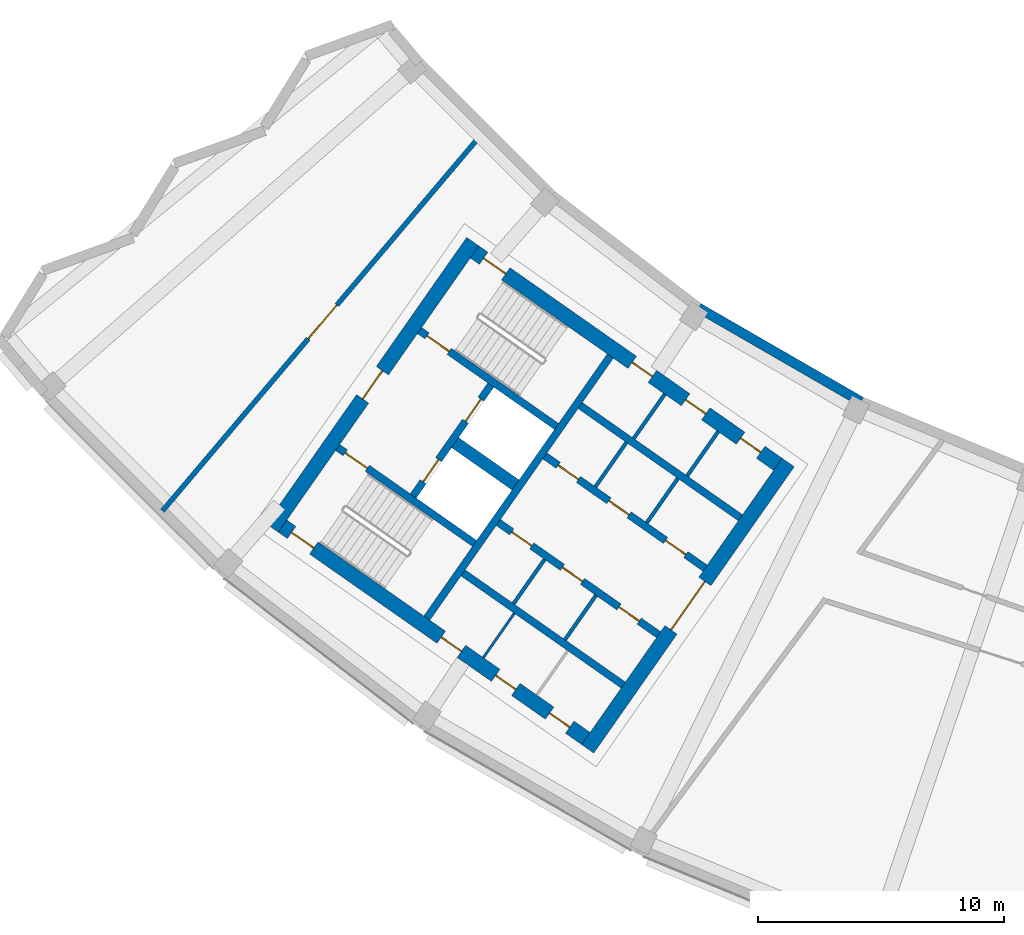
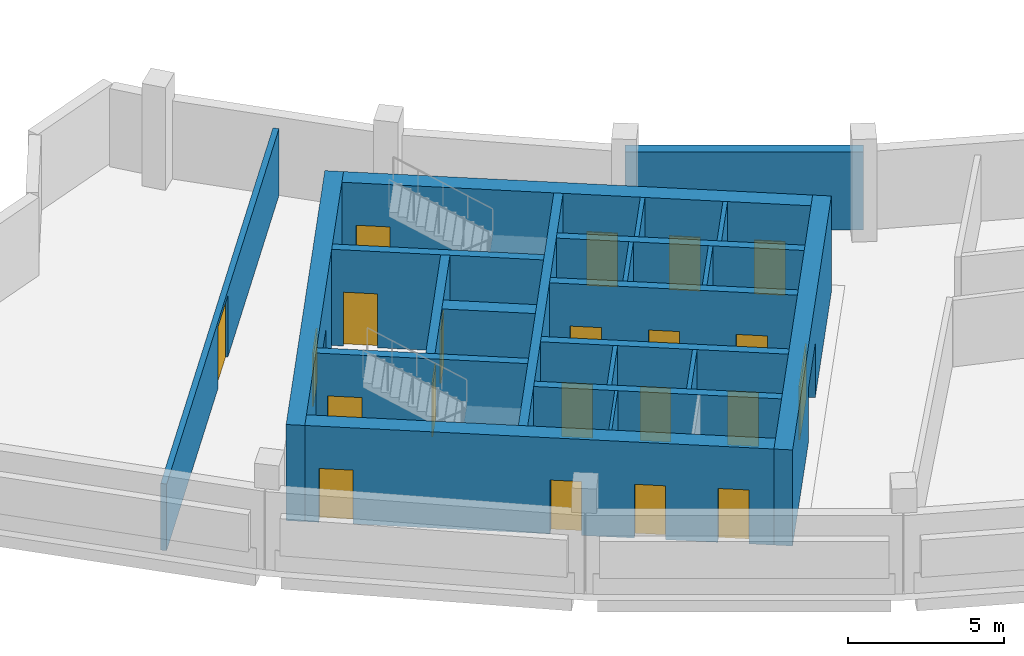
# One storey, part 3 of 11: 22 walls, 21 doors, 21 openings.
"""IFC4 building model written with IfcOpenShell, lengths in metres."""

from ifc_helpers import new_model, si_unit, direction, frame, frame_2d, origin, place, context, subcontext, project, spatial, rectangle, extrude, material, layer, layer_set, type_object, element, fill, save


model = new_model("IFC4")

# Units and contexts
model_context = context("Model", 3, precision=1e-05, world=origin(), true_north=direction((0.0, 1.0)))
body_context = subcontext(model_context, "Body", "Model", "MODEL_VIEW")
ifc_project = project(units=[si_unit("LENGTHUNIT", "METRE"), si_unit("AREAUNIT", "SQUARE_METRE"), si_unit("VOLUMEUNIT", "CUBIC_METRE"), si_unit("PLANEANGLEUNIT", "RADIAN"), si_unit("MASSUNIT", "GRAM", prefix="KILO")], contexts=[model_context])

# Site, building, storey
site_placement = place(None, origin())
site = spatial("IfcSite", under=ifc_project, at=site_placement, CompositionType="ELEMENT")
building_placement = place(site_placement, origin())
building = spatial("IfcBuilding", under=site, at=building_placement, Name="Qamariyya Broadcast Tower", CompositionType="ELEMENT")
storey_placement = place(building_placement, frame((0.0, 0.0, 298.699951171875)))
storey = spatial("IfcBuildingStorey", under=building, at=storey_placement, Name="L72", CompositionType="ELEMENT", Elevation=298.699951171875)

# Wall, opening, door
ifc_material_1 = material(Name="Concrete C60/75", Category="concrete")
ifc_layer_1 = layer(ifc_material_1, 0.60009765625)
ifc_layer_set_1 = layer_set([ifc_layer_1], Name="Core wall 600 mm Concrete C60/75")
wall_type_1 = type_object("IfcWallType", Name="Core wall 600 mm Concrete C60/75", PredefinedType="SHEAR", material=ifc_layer_set_1)
wall_1_placement = place(storey_placement, frame((-36.66748046875, -66.005126953125, 0.0), z_axis=(0.0, 0.0, 1.0), x_axis=(0.573568499524, 0.819157601658, 0.0)))
wall_1 = element("IfcWall", 1, at=wall_1_placement, inside=storey, type_object=wall_type_1, Name="k-W-L72-WA", PredefinedType="SHEAR", context=body_context, shape_type="SweptSolid", body=[
    extrude(rectangle(XDim=14.19970703125, YDim=0.60009765625, at=frame_2d((7.099853515625, 0.0))), origin(), (0.0, 0.0, 1.0), 3.75),
])
opening_1_placement = place(wall_1_placement, frame((5.89990234375, 0.0, 0.0)))
opening_1 = element("IfcOpeningElement", 2, at=opening_1_placement, cuts=wall_1, Name="Opening KD3-W1", PredefinedType="OPENING", context=body_context, shape_type="SweptSolid", body=[
    extrude(rectangle(XDim=2.39990234375, YDim=2.10009765625, at=frame_2d((1.199951171875, 1.050048828125))), frame((0.0, 0.31005859375, 0.0), z_axis=(0.0, -1.0, 0.0), x_axis=(1.0, 0.0, 0.0)), (0.0, 0.0, 1.0), 0.6201171875),
])
ifc_material_2 = material(Name="Steel fire-resisting door leaf", Category="steel")
door_type_1 = type_object("IfcDoorType", Name="Lift lobby door KD3", OperationType="DOUBLE_DOOR_SINGLE_SWING", PredefinedType="DOOR", material=ifc_material_2)
door_1_placement = place(opening_1_placement, origin())
door_1 = element("IfcDoor", 3, at=door_1_placement, inside=storey, type_object=door_type_1, Name="k-W-L72-WA-D1", OperationType="DOUBLE_DOOR_SINGLE_SWING", OverallHeight=2.10009765625, OverallWidth=2.39990234375, PredefinedType="DOOR", context=body_context, shape_type="SweptSolid", body=[
    extrude(rectangle(XDim=2.39990234375, YDim=2.10009765625, at=frame_2d((1.199951171875, 1.050048828125))), frame((0.0, 0.02490234375, 0.0), z_axis=(0.0, -1.0, 0.0), x_axis=(1.0, 0.0, 0.0)), (0.0, 0.0, 1.0), 0.050048828125),
])
fill(opening_1, door_1)

wall_2_placement = place(storey_placement, frame((-49.4833984375, -57.031494140625, 0.0), z_axis=(0.0, 0.0, 1.0), x_axis=(0.573560421458, 0.819163257805, 0.0)))
wall_2 = element("IfcWall", 4, at=wall_2_placement, inside=storey, type_object=wall_type_1, Name="k-W-L72-WH", PredefinedType="SHEAR", context=body_context, shape_type="SweptSolid", body=[
    extrude(rectangle(XDim=14.199951171875, YDim=0.60009765625, at=frame_2d((7.10009765625, 0.0))), origin(), (0.0, 0.0, 1.0), 3.75),
])
opening_2_placement = place(wall_2_placement, frame((6.39990234375, 0.0, 0.0)))
opening_2 = element("IfcOpeningElement", 5, at=opening_2_placement, cuts=wall_2, Name="Opening KD2-W1", PredefinedType="OPENING", context=body_context, shape_type="SweptSolid", body=[
    extrude(rectangle(XDim=1.39990234375, YDim=2.10009765625, at=frame_2d((0.699951171875, 1.050048828125))), frame((0.0, 0.31005859375, 0.0), z_axis=(0.0, -1.0, 0.0), x_axis=(1.0, 0.0, 0.0)), (0.0, 0.0, 1.0), 0.6201171875),
])
door_type_2 = type_object("IfcDoorType", Name="Fire-fighting lobby door KD2", OperationType="DOUBLE_DOOR_SINGLE_SWING", PredefinedType="DOOR", material=ifc_material_2)
door_2_placement = place(opening_2_placement, origin())
door_2 = element("IfcDoor", 6, at=door_2_placement, inside=storey, type_object=door_type_2, Name="k-W-L72-WH-D16", OperationType="DOUBLE_DOOR_SINGLE_SWING", OverallHeight=2.10009765625, OverallWidth=1.39990234375, PredefinedType="DOOR", context=body_context, shape_type="SweptSolid", body=[
    extrude(rectangle(XDim=1.39990234375, YDim=2.10009765625, at=frame_2d((0.699951171875, 1.050048828125))), frame((0.0, 0.02490234375, 0.0), z_axis=(0.0, -1.0, 0.0), x_axis=(1.0, 0.0, 0.0)), (0.0, 0.0, 1.0), 0.050048828125),
])
fill(opening_2, door_2)

# Wall, openings, doors
wall_3_placement = place(storey_placement, frame((-28.940673828125, -54.447021484375, 0.0), z_axis=(0.0, 0.0, 1.0), x_axis=(-0.819153391756, 0.573574511963, 0.0)))
wall_3 = element("IfcWall", 7, at=wall_3_placement, inside=storey, type_object=wall_type_1, Name="k-W-L72-WI", PredefinedType="SHEAR", context=body_context, shape_type="SweptSolid", body=[
    extrude(rectangle(XDim=15.04541015625, YDim=0.60009765625, at=frame_2d((7.522705078125, 0.0))), origin(), (0.0, 0.0, 1.0), 3.75),
])
opening_3_placement = place(wall_3_placement, frame((0.85009765625, 0.0, 0.0)))
opening_3 = element("IfcOpeningElement", 8, at=opening_3_placement, cuts=wall_3, Name="Opening KD4-W7", PredefinedType="OPENING", context=body_context, shape_type="SweptSolid", body=[
    extrude(rectangle(XDim=1.0, YDim=2.10009765625, at=frame_2d((0.5, 1.050048828125))), frame((0.0, 0.31005859375, 0.0), z_axis=(0.0, -1.0, 0.0), x_axis=(1.0, 0.0, 0.0)), (0.0, 0.0, 1.0), 0.6201171875),
])
opening_4_placement = place(wall_3_placement, frame((3.574951171875, 0.0, 0.0)))
opening_4 = element("IfcOpeningElement", 9, at=opening_4_placement, cuts=wall_3, Name="Opening KD4-W8", PredefinedType="OPENING", context=body_context, shape_type="SweptSolid", body=[
    extrude(rectangle(XDim=1.0, YDim=2.10009765625, at=frame_2d((0.5, 1.050048828125))), frame((0.0, 0.31005859375, 0.0), z_axis=(0.0, -1.0, 0.0), x_axis=(1.0, 0.0, 0.0)), (0.0, 0.0, 1.0), 0.6201171875),
])
opening_5_placement = place(wall_3_placement, frame((6.22509765625, 0.0, 0.0)))
opening_5 = element("IfcOpeningElement", 10, at=opening_5_placement, cuts=wall_3, Name="Opening KD4-W9", PredefinedType="OPENING", context=body_context, shape_type="SweptSolid", body=[
    extrude(rectangle(XDim=1.0, YDim=2.10009765625, at=frame_2d((0.5, 1.050048828125))), frame((0.0, 0.31005859375, 0.0), z_axis=(0.0, -1.0, 0.0), x_axis=(1.0, 0.0, 0.0)), (0.0, 0.0, 1.0), 0.6201171875),
])
opening_6_placement = place(wall_3_placement, frame((13.495361328125, 0.0, 0.0)))
opening_6 = element("IfcOpeningElement", 11, at=opening_6_placement, cuts=wall_3, Name="Opening KD1-W1", PredefinedType="OPENING", context=body_context, shape_type="SweptSolid", body=[
    extrude(rectangle(XDim=1.10009765625, YDim=2.10009765625, at=frame_2d((0.550048828125, 1.050048828125))), frame((0.0, 0.31005859375, 0.0), z_axis=(0.0, -1.0, 0.0), x_axis=(1.0, 0.0, 0.0)), (0.0, 0.0, 1.0), 0.6201171875),
])
door_type_3 = type_object("IfcDoorType", Name="Riser and plant door KD4", OperationType="SINGLE_SWING_LEFT", PredefinedType="DOOR", material=ifc_material_2)
door_3_placement = place(opening_3_placement, origin())
door_3 = element("IfcDoor", 12, at=door_3_placement, inside=storey, type_object=door_type_3, Name="k-W-L72-WI-D8", OperationType="SINGLE_SWING_LEFT", OverallHeight=2.10009765625, OverallWidth=1.0, PredefinedType="DOOR", context=body_context, shape_type="SweptSolid", body=[
    extrude(rectangle(XDim=1.0, YDim=2.10009765625, at=frame_2d((0.5, 1.050048828125))), frame((0.0, 0.02490234375, 0.0), z_axis=(0.0, -1.0, 0.0), x_axis=(1.0, 0.0, 0.0)), (0.0, 0.0, 1.0), 0.050048828125),
])
fill(opening_3, door_3)
door_4_placement = place(opening_4_placement, origin())
door_4 = element("IfcDoor", 13, at=door_4_placement, inside=storey, type_object=door_type_3, Name="k-W-L72-WI-D9", OperationType="SINGLE_SWING_RIGHT", OverallHeight=2.10009765625, OverallWidth=1.0, PredefinedType="DOOR", context=body_context, shape_type="SweptSolid", body=[
    extrude(rectangle(XDim=1.0, YDim=2.10009765625, at=frame_2d((0.5, 1.050048828125))), frame((0.0, 0.02490234375, 0.0), z_axis=(0.0, -1.0, 0.0), x_axis=(1.0, 0.0, 0.0)), (0.0, 0.0, 1.0), 0.050048828125),
])
fill(opening_4, door_4)
door_5_placement = place(opening_5_placement, origin())
door_5 = element("IfcDoor", 14, at=door_5_placement, inside=storey, type_object=door_type_3, Name="k-W-L72-WI-D10", OperationType="SINGLE_SWING_LEFT", OverallHeight=2.10009765625, OverallWidth=1.0, PredefinedType="DOOR", context=body_context, shape_type="SweptSolid", body=[
    extrude(rectangle(XDim=1.0, YDim=2.10009765625, at=frame_2d((0.5, 1.050048828125))), frame((0.0, 0.02490234375, 0.0), z_axis=(0.0, -1.0, 0.0), x_axis=(1.0, 0.0, 0.0)), (0.0, 0.0, 1.0), 0.050048828125),
])
fill(opening_5, door_5)
door_type_4 = type_object("IfcDoorType", Name="Stair door KD1", OperationType="SINGLE_SWING_LEFT", PredefinedType="DOOR", material=ifc_material_2)
door_6_placement = place(opening_6_placement, origin())
door_6 = element("IfcDoor", 15, at=door_6_placement, inside=storey, type_object=door_type_4, Name="k-W-L72-WI-D17", OperationType="SINGLE_SWING_RIGHT", OverallHeight=2.10009765625, OverallWidth=1.10009765625, PredefinedType="DOOR", context=body_context, shape_type="SweptSolid", body=[
    extrude(rectangle(XDim=1.10009765625, YDim=2.10009765625, at=frame_2d((0.550048828125, 1.050048828125))), frame((0.0, 0.02490234375, 0.0), z_axis=(0.0, -1.0, 0.0), x_axis=(1.0, 0.0, 0.0)), (0.0, 0.0, 1.0), 0.050048828125),
])
fill(opening_6, door_6)

wall_4_placement = place(storey_placement, frame((-36.7412109375, -65.58740234375, 0.0), z_axis=(0.0, 0.0, 1.0), x_axis=(-0.819153391756, 0.573574511963, 0.0)))
wall_4 = element("IfcWall", 16, at=wall_4_placement, inside=storey, type_object=wall_type_1, Name="k-W-L72-WO", PredefinedType="SHEAR", context=body_context, shape_type="SweptSolid", body=[
    extrude(rectangle(XDim=15.04541015625, YDim=0.60009765625, at=frame_2d((7.522705078125, 0.0))), origin(), (0.0, 0.0, 1.0), 3.75),
])
opening_7_placement = place(wall_4_placement, frame((0.800048828125, 0.0, 0.0)))
opening_7 = element("IfcOpeningElement", 17, at=opening_7_placement, cuts=wall_4, Name="Opening KD4-W10", PredefinedType="OPENING", context=body_context, shape_type="SweptSolid", body=[
    extrude(rectangle(XDim=1.0, YDim=2.10009765625, at=frame_2d((0.5, 1.050048828125))), frame((0.0, 0.31005859375, 0.0), z_axis=(0.0, -1.0, 0.0), x_axis=(1.0, 0.0, 0.0)), (0.0, 0.0, 1.0), 0.6201171875),
])
opening_8_placement = place(wall_4_placement, frame((3.47509765625, 0.0, 0.0)))
opening_8 = element("IfcOpeningElement", 18, at=opening_8_placement, cuts=wall_4, Name="Opening KD4-W11", PredefinedType="OPENING", context=body_context, shape_type="SweptSolid", body=[
    extrude(rectangle(XDim=1.0, YDim=2.10009765625, at=frame_2d((0.5, 1.050048828125))), frame((0.0, 0.31005859375, 0.0), z_axis=(0.0, -1.0, 0.0), x_axis=(1.0, 0.0, 0.0)), (0.0, 0.0, 1.0), 0.6201171875),
])
opening_9_placement = place(wall_4_placement, frame((6.175048828125, 0.0, 0.0)))
opening_9 = element("IfcOpeningElement", 19, at=opening_9_placement, cuts=wall_4, Name="Opening KD4-W12", PredefinedType="OPENING", context=body_context, shape_type="SweptSolid", body=[
    extrude(rectangle(XDim=1.0, YDim=2.10009765625, at=frame_2d((0.5, 1.050048828125))), frame((0.0, 0.31005859375, 0.0), z_axis=(0.0, -1.0, 0.0), x_axis=(1.0, 0.0, 0.0)), (0.0, 0.0, 1.0), 0.6201171875),
])
opening_10_placement = place(wall_4_placement, frame((13.495361328125, 0.0, 0.0)))
opening_10 = element("IfcOpeningElement", 20, at=opening_10_placement, cuts=wall_4, Name="Opening KD1-W3", PredefinedType="OPENING", context=body_context, shape_type="SweptSolid", body=[
    extrude(rectangle(XDim=1.10009765625, YDim=2.10009765625, at=frame_2d((0.550048828125, 1.050048828125))), frame((0.0, 0.31005859375, 0.0), z_axis=(0.0, -1.0, 0.0), x_axis=(1.0, 0.0, 0.0)), (0.0, 0.0, 1.0), 0.6201171875),
])
door_7_placement = place(opening_7_placement, origin())
door_7 = element("IfcDoor", 21, at=door_7_placement, inside=storey, type_object=door_type_3, Name="k-W-L72-WO-D11", OperationType="SINGLE_SWING_RIGHT", OverallHeight=2.10009765625, OverallWidth=1.0, PredefinedType="DOOR", context=body_context, shape_type="SweptSolid", body=[
    extrude(rectangle(XDim=1.0, YDim=2.10009765625, at=frame_2d((0.5, 1.050048828125))), frame((0.0, 0.02490234375, 0.0), z_axis=(0.0, -1.0, 0.0), x_axis=(1.0, 0.0, 0.0)), (0.0, 0.0, 1.0), 0.050048828125),
])
fill(opening_7, door_7)
door_8_placement = place(opening_8_placement, origin())
door_8 = element("IfcDoor", 22, at=door_8_placement, inside=storey, type_object=door_type_3, Name="k-W-L72-WO-D12", OperationType="SINGLE_SWING_LEFT", OverallHeight=2.10009765625, OverallWidth=1.0, PredefinedType="DOOR", context=body_context, shape_type="SweptSolid", body=[
    extrude(rectangle(XDim=1.0, YDim=2.10009765625, at=frame_2d((0.5, 1.050048828125))), frame((0.0, 0.02490234375, 0.0), z_axis=(0.0, -1.0, 0.0), x_axis=(1.0, 0.0, 0.0)), (0.0, 0.0, 1.0), 0.050048828125),
])
fill(opening_8, door_8)
door_9_placement = place(opening_9_placement, origin())
door_9 = element("IfcDoor", 23, at=door_9_placement, inside=storey, type_object=door_type_3, Name="k-W-L72-WO-D13", OperationType="SINGLE_SWING_RIGHT", OverallHeight=2.10009765625, OverallWidth=1.0, PredefinedType="DOOR", context=body_context, shape_type="SweptSolid", body=[
    extrude(rectangle(XDim=1.0, YDim=2.10009765625, at=frame_2d((0.5, 1.050048828125))), frame((0.0, 0.02490234375, 0.0), z_axis=(0.0, -1.0, 0.0), x_axis=(1.0, 0.0, 0.0)), (0.0, 0.0, 1.0), 0.050048828125),
])
fill(opening_9, door_9)
door_10_placement = place(opening_10_placement, origin())
door_10 = element("IfcDoor", 24, at=door_10_placement, inside=storey, type_object=door_type_4, Name="k-W-L72-WO-D19", OperationType="SINGLE_SWING_LEFT", OverallHeight=2.10009765625, OverallWidth=1.10009765625, PredefinedType="DOOR", context=body_context, shape_type="SweptSolid", body=[
    extrude(rectangle(XDim=1.10009765625, YDim=2.10009765625, at=frame_2d((0.550048828125, 1.050048828125))), frame((0.0, 0.02490234375, 0.0), z_axis=(0.0, -1.0, 0.0), x_axis=(1.0, 0.0, 0.0)), (0.0, 0.0, 1.0), 0.050048828125),
])
fill(opening_10, door_10)

# Walls
ifc_layer_2 = layer(ifc_material_1, 0.5)
ifc_layer_set_2 = layer_set([ifc_layer_2], Name="Fire-fighting lobby divider wall 500 mm Concrete C60/75")
wall_type_2 = type_object("IfcWallType", Name="Fire-fighting lobby divider wall 500 mm Concrete C60/75", PredefinedType="SOLIDWALL", material=ifc_layer_set_2)
wall_5_placement = place(storey_placement, frame((-39.59912109375, -55.28515625, 0.0), z_axis=(0.0, 0.0, 1.0), x_axis=(-0.819136323161, 0.573598887793, 0.0)))
element("IfcWall", 25, at=wall_5_placement, inside=storey, type_object=wall_type_2, Name="k-W-L72-FD", PredefinedType="SOLIDWALL", context=body_context, shape_type="SweptSolid", body=[
    extrude(rectangle(XDim=2.999755859375, YDim=0.5, at=frame_2d((1.5, 0.0))), origin(), (0.0, 0.0, 1.0), 3.75),
])
ifc_material_3 = material(Name="Gypsum board partition on steel studs", Category="steel")
ifc_layer_3 = layer(ifc_material_3, 0.14990234375)
ifc_layer_set_3 = layer_set([ifc_layer_3], Name="Gypsum board partition 150 mm")
wall_type_3 = type_object("IfcWallType", Name="Gypsum board partition 150 mm", PredefinedType="PARTITIONING", material=ifc_layer_set_3)
for number, where, z_axis, x_axis, name in (
    (26, (-34.26611328125, -56.822021484375, 0.0), (0.0, 0.0, 1.0), (0.573581496053, 0.819148501424, 0.0), "k-W-L72-NC300"),
    (27, (-36.35498046875, -55.359375, 0.0), (0.0, 0.0, 1.0), (0.573581496053, 0.819148501424, 0.0), "k-W-L72-NC555"),
):
    element("IfcWall", number, at=place(storey_placement, frame(where, z_axis=z_axis, x_axis=x_axis)), inside=storey, type_object=wall_type_3, Name=name, PredefinedType="PARTITIONING", context=body_context, shape_type="SweptSolid", body=[
        extrude(rectangle(XDim=2.2001953125, YDim=0.14990234375, at=frame_2d((1.10009765625, 0.0))), origin(), (0.0, 0.0, 1.0), 3.75),
    ])
for number, where, z_axis, x_axis, name in (
    (28, (-36.330810546875, -59.77099609375, 0.0), (0.0, 0.0, 1.0), (-0.573633636671, -0.819111989218, 0.0), "k-W-L72-SC300"),
    (29, (-38.419677734375, -58.308349609375, 0.0), (0.0, 0.0, 1.0), (-0.573633636671, -0.819111989218, 0.0), "k-W-L72-SC555"),
    (30, (-32.627197265625, -54.91748046875, 0.0), (0.0, 0.0, 1.0), (0.573507030513, 0.819200638399, 0.0), "k-W-L72-NP275"),
    (31, (-34.798095703125, -53.3974609375, 0.0), (0.0, 0.0, 1.0), (0.573633636671, 0.819111989218, 0.0), "k-W-L72-NP540"),
):
    element("IfcWall", number, at=place(storey_placement, frame(where, z_axis=z_axis, x_axis=x_axis)), inside=storey, type_object=wall_type_3, Name=name, PredefinedType="PARTITIONING", context=body_context, shape_type="SweptSolid", body=[
        extrude(rectangle(XDim=2.199951171875, YDim=0.14990234375, at=frame_2d((1.10009765625, 0.0))), origin(), (0.0, 0.0, 1.0), 3.75),
    ])
ifc_layer_4 = layer(ifc_material_1, 0.300048828125)
ifc_layer_set_4 = layer_set([ifc_layer_4], Name="Lift shaft wall 300 mm Concrete C60/75")
wall_type_4 = type_object("IfcWallType", Name="Lift shaft wall 300 mm Concrete C60/75", PredefinedType="SOLIDWALL", material=ifc_layer_set_4)
wall_6_placement = place(storey_placement, frame((-43.204345703125, -60.69580078125, 0.0), z_axis=(0.0, 0.0, 1.0), x_axis=(0.573571992966, 0.819155155563, 0.0)))
element("IfcWall", 32, at=wall_6_placement, inside=storey, type_object=wall_type_4, Name="k-W-L72-WL", PredefinedType="SOLIDWALL", context=body_context, shape_type="SweptSolid", body=[
    extrude(rectangle(XDim=13.000244140625, YDim=0.300048828125, at=frame_2d((6.5, 0.0))), origin(), (0.0, 0.0, 1.0), 3.75),
])

# Wall, openings, doors
wall_7_placement = place(storey_placement, frame((-31.89453125, -58.66552734375, 0.0), z_axis=(0.0, 0.0, 1.0), x_axis=(-0.819166993208, 0.573555086491, 0.0)))
wall_7 = element("IfcWall", 33, at=wall_7_placement, inside=storey, type_object=wall_type_4, Name="k-W-L72-NF0", PredefinedType="SOLIDWALL", context=body_context, shape_type="SweptSolid", body=[
    extrude(rectangle(XDim=7.9501953125, YDim=0.300048828125, at=frame_2d((3.97509765625, 0.0))), origin(), (0.0, 0.0, 1.0), 3.75),
])
opening_11_placement = place(wall_7_placement, frame((0.96240234375, 0.0, 0.0)))
opening_11 = element("IfcOpeningElement", 34, at=opening_11_placement, cuts=wall_7, Name="Opening KD4-W1", PredefinedType="OPENING", context=body_context, shape_type="SweptSolid", body=[
    extrude(rectangle(XDim=1.0, YDim=2.10009765625, at=frame_2d((0.5, 1.050048828125))), frame((0.0, 0.159912109375, 0.0), z_axis=(0.0, -1.0, 0.0), x_axis=(1.0, 0.0, 0.0)), (0.0, 0.0, 1.0), 0.320068359375),
])
opening_12_placement = place(wall_7_placement, frame((3.77490234375, 0.0, 0.0)))
opening_12 = element("IfcOpeningElement", 35, at=opening_12_placement, cuts=wall_7, Name="Opening KD4-W2", PredefinedType="OPENING", context=body_context, shape_type="SweptSolid", body=[
    extrude(rectangle(XDim=1.0, YDim=2.10009765625, at=frame_2d((0.5, 1.050048828125))), frame((0.0, 0.159912109375, 0.0), z_axis=(0.0, -1.0, 0.0), x_axis=(1.0, 0.0, 0.0)), (0.0, 0.0, 1.0), 0.320068359375),
])
opening_13_placement = place(wall_7_placement, frame((6.28759765625, 0.0, 0.0)))
opening_13 = element("IfcOpeningElement", 36, at=opening_13_placement, cuts=wall_7, Name="Opening KD4-W3", PredefinedType="OPENING", context=body_context, shape_type="SweptSolid", body=[
    extrude(rectangle(XDim=1.0, YDim=2.10009765625, at=frame_2d((0.5, 1.050048828125))), frame((0.0, 0.159912109375, 0.0), z_axis=(0.0, -1.0, 0.0), x_axis=(1.0, 0.0, 0.0)), (0.0, 0.0, 1.0), 0.320068359375),
])
door_11_placement = place(opening_11_placement, origin())
door_11 = element("IfcDoor", 37, at=door_11_placement, inside=storey, type_object=door_type_3, Name="k-W-L72-NF0-D2", OperationType="SINGLE_SWING_LEFT", OverallHeight=2.10009765625, OverallWidth=1.0, PredefinedType="DOOR", context=body_context, shape_type="SweptSolid", body=[
    extrude(rectangle(XDim=1.0, YDim=2.10009765625, at=frame_2d((0.5, 1.050048828125))), frame((0.0, 0.02490234375, 0.0), z_axis=(0.0, -1.0, 0.0), x_axis=(1.0, 0.0, 0.0)), (0.0, 0.0, 1.0), 0.050048828125),
])
fill(opening_11, door_11)
door_12_placement = place(opening_12_placement, origin())
door_12 = element("IfcDoor", 38, at=door_12_placement, inside=storey, type_object=door_type_3, Name="k-W-L72-NF0-D3", OperationType="SINGLE_SWING_RIGHT", OverallHeight=2.10009765625, OverallWidth=1.0, PredefinedType="DOOR", context=body_context, shape_type="SweptSolid", body=[
    extrude(rectangle(XDim=1.0, YDim=2.10009765625, at=frame_2d((0.5, 1.050048828125))), frame((0.0, 0.02490234375, 0.0), z_axis=(0.0, -1.0, 0.0), x_axis=(1.0, 0.0, 0.0)), (0.0, 0.0, 1.0), 0.050048828125),
])
fill(opening_12, door_12)
door_13_placement = place(opening_13_placement, origin())
door_13 = element("IfcDoor", 39, at=door_13_placement, inside=storey, type_object=door_type_3, Name="k-W-L72-NF0-D4", OperationType="SINGLE_SWING_LEFT", OverallHeight=2.10009765625, OverallWidth=1.0, PredefinedType="DOOR", context=body_context, shape_type="SweptSolid", body=[
    extrude(rectangle(XDim=1.0, YDim=2.10009765625, at=frame_2d((0.5, 1.050048828125))), frame((0.0, 0.02490234375, 0.0), z_axis=(0.0, -1.0, 0.0), x_axis=(1.0, 0.0, 0.0)), (0.0, 0.0, 1.0), 0.050048828125),
])
fill(opening_13, door_13)

# Wall
wall_8_placement = place(storey_placement, frame((-30.460693359375, -56.61767578125, 0.0), z_axis=(0.0, 0.0, 1.0), x_axis=(-0.819142461705, 0.573590121456, 0.0)))
element("IfcWall", 40, at=wall_8_placement, inside=storey, type_object=wall_type_4, Name="k-W-L72-NB0", PredefinedType="SOLIDWALL", context=body_context, shape_type="SweptSolid", body=[
    extrude(rectangle(XDim=7.949951171875, YDim=0.300048828125, at=frame_2d((3.97509765625, 0.0))), origin(), (0.0, 0.0, 1.0), 3.75),
])

# Wall, openings, doors
wall_9_placement = place(storey_placement, frame((-33.787353515625, -61.368896484375, 0.0), z_axis=(0.0, 0.0, 1.0), x_axis=(-0.819152564888, 0.573575692858, 0.0)))
wall_9 = element("IfcWall", 41, at=wall_9_placement, inside=storey, type_object=wall_type_4, Name="k-W-L72-SF0", PredefinedType="SOLIDWALL", context=body_context, shape_type="SweptSolid", body=[
    extrude(rectangle(XDim=7.9501953125, YDim=0.300048828125, at=frame_2d((3.97509765625, 0.0))), origin(), (0.0, 0.0, 1.0), 3.75),
])
opening_14_placement = place(wall_9_placement, frame((0.96240234375, 0.0, 0.0)))
opening_14 = element("IfcOpeningElement", 42, at=opening_14_placement, cuts=wall_9, Name="Opening KD4-W4", PredefinedType="OPENING", context=body_context, shape_type="SweptSolid", body=[
    extrude(rectangle(XDim=1.0, YDim=2.10009765625, at=frame_2d((0.5, 1.050048828125))), frame((0.0, 0.159912109375, 0.0), z_axis=(0.0, -1.0, 0.0), x_axis=(1.0, 0.0, 0.0)), (0.0, 0.0, 1.0), 0.320068359375),
])
opening_15_placement = place(wall_9_placement, frame((3.77490234375, 0.0, 0.0)))
opening_15 = element("IfcOpeningElement", 43, at=opening_15_placement, cuts=wall_9, Name="Opening KD4-W5", PredefinedType="OPENING", context=body_context, shape_type="SweptSolid", body=[
    extrude(rectangle(XDim=1.0, YDim=2.10009765625, at=frame_2d((0.5, 1.050048828125))), frame((0.0, 0.159912109375, 0.0), z_axis=(0.0, -1.0, 0.0), x_axis=(1.0, 0.0, 0.0)), (0.0, 0.0, 1.0), 0.320068359375),
])
opening_16_placement = place(wall_9_placement, frame((6.28759765625, 0.0, 0.0)))
opening_16 = element("IfcOpeningElement", 44, at=opening_16_placement, cuts=wall_9, Name="Opening KD4-W6", PredefinedType="OPENING", context=body_context, shape_type="SweptSolid", body=[
    extrude(rectangle(XDim=1.0, YDim=2.10009765625, at=frame_2d((0.5, 1.050048828125))), frame((0.0, 0.159912109375, 0.0), z_axis=(0.0, -1.0, 0.0), x_axis=(1.0, 0.0, 0.0)), (0.0, 0.0, 1.0), 0.320068359375),
])
door_14_placement = place(opening_14_placement, origin())
door_14 = element("IfcDoor", 45, at=door_14_placement, inside=storey, type_object=door_type_3, Name="k-W-L72-SF0-D5", OperationType="SINGLE_SWING_RIGHT", OverallHeight=2.10009765625, OverallWidth=1.0, PredefinedType="DOOR", context=body_context, shape_type="SweptSolid", body=[
    extrude(rectangle(XDim=1.0, YDim=2.10009765625, at=frame_2d((0.5, 1.050048828125))), frame((0.0, 0.02490234375, 0.0), z_axis=(0.0, -1.0, 0.0), x_axis=(1.0, 0.0, 0.0)), (0.0, 0.0, 1.0), 0.050048828125),
])
fill(opening_14, door_14)
door_15_placement = place(opening_15_placement, origin())
door_15 = element("IfcDoor", 46, at=door_15_placement, inside=storey, type_object=door_type_3, Name="k-W-L72-SF0-D6", OperationType="SINGLE_SWING_LEFT", OverallHeight=2.10009765625, OverallWidth=1.0, PredefinedType="DOOR", context=body_context, shape_type="SweptSolid", body=[
    extrude(rectangle(XDim=1.0, YDim=2.10009765625, at=frame_2d((0.5, 1.050048828125))), frame((0.0, 0.02490234375, 0.0), z_axis=(0.0, -1.0, 0.0), x_axis=(1.0, 0.0, 0.0)), (0.0, 0.0, 1.0), 0.050048828125),
])
fill(opening_15, door_15)
door_16_placement = place(opening_16_placement, origin())
door_16 = element("IfcDoor", 47, at=door_16_placement, inside=storey, type_object=door_type_3, Name="k-W-L72-SF0-D7", OperationType="SINGLE_SWING_RIGHT", OverallHeight=2.10009765625, OverallWidth=1.0, PredefinedType="DOOR", context=body_context, shape_type="SweptSolid", body=[
    extrude(rectangle(XDim=1.0, YDim=2.10009765625, at=frame_2d((0.5, 1.050048828125))), frame((0.0, 0.02490234375, 0.0), z_axis=(0.0, -1.0, 0.0), x_axis=(1.0, 0.0, 0.0)), (0.0, 0.0, 1.0), 0.050048828125),
])
fill(opening_16, door_16)

# Wall
wall_10_placement = place(storey_placement, frame((-35.22119140625, -63.41650390625, 0.0), z_axis=(0.0, 0.0, 1.0), x_axis=(-0.819166993208, 0.573555086491, 0.0)))
element("IfcWall", 48, at=wall_10_placement, inside=storey, type_object=wall_type_4, Name="k-W-L72-SB0", PredefinedType="SOLIDWALL", context=body_context, shape_type="SweptSolid", body=[
    extrude(rectangle(XDim=7.9501953125, YDim=0.300048828125, at=frame_2d((3.97509765625, 0.0))), origin(), (0.0, 0.0, 1.0), 3.75),
])

# Wall, opening, door
wall_11_placement = place(storey_placement, frame((-37.935546875, -52.90966796875, 0.0), z_axis=(0.0, 0.0, 1.0), x_axis=(-0.819147518138, 0.57358290031, 0.0)))
wall_11 = element("IfcWall", 49, at=wall_11_placement, inside=storey, type_object=wall_type_4, Name="k-W-L72-NW", PredefinedType="SOLIDWALL", context=body_context, shape_type="SweptSolid", body=[
    extrude(rectangle(XDim=6.79541015625, YDim=0.300048828125, at=frame_2d((3.397705078125, 0.0))), origin(), (0.0, 0.0, 1.0), 3.75),
])
opening_17_placement = place(wall_11_placement, frame((5.3203125, 0.0, 0.0)))
opening_17 = element("IfcOpeningElement", 50, at=opening_17_placement, cuts=wall_11, Name="Opening KD1-W2", PredefinedType="OPENING", context=body_context, shape_type="SweptSolid", body=[
    extrude(rectangle(XDim=1.10009765625, YDim=2.10009765625, at=frame_2d((0.550048828125, 1.050048828125))), frame((0.0, 0.159912109375, 0.0), z_axis=(0.0, -1.0, 0.0), x_axis=(1.0, 0.0, 0.0)), (0.0, 0.0, 1.0), 0.320068359375),
])
door_17_placement = place(opening_17_placement, origin())
door_17 = element("IfcDoor", 51, at=door_17_placement, inside=storey, type_object=door_type_4, Name="k-W-L72-NW-D18", OperationType="SINGLE_SWING_LEFT", OverallHeight=2.10009765625, OverallWidth=1.10009765625, PredefinedType="DOOR", context=body_context, shape_type="SweptSolid", body=[
    extrude(rectangle(XDim=1.10009765625, YDim=2.10009765625, at=frame_2d((0.550048828125, 1.050048828125))), frame((0.0, 0.02490234375, 0.0), z_axis=(0.0, -1.0, 0.0), x_axis=(1.0, 0.0, 0.0)), (0.0, 0.0, 1.0), 0.050048828125),
])
fill(opening_17, door_17)

wall_12_placement = place(storey_placement, frame((-41.262451171875, -57.66064453125, 0.0), z_axis=(0.0, 0.0, 1.0), x_axis=(-0.819164398642, 0.573558792102, 0.0)))
wall_12 = element("IfcWall", 52, at=wall_12_placement, inside=storey, type_object=wall_type_4, Name="k-W-L72-SW", PredefinedType="SOLIDWALL", context=body_context, shape_type="SweptSolid", body=[
    extrude(rectangle(XDim=6.795166015625, YDim=0.300048828125, at=frame_2d((3.3974609375, 0.0))), origin(), (0.0, 0.0, 1.0), 3.75),
])
opening_18_placement = place(wall_12_placement, frame((5.3203125, 0.0, 0.0)))
opening_18 = element("IfcOpeningElement", 53, at=opening_18_placement, cuts=wall_12, Name="Opening KD1-W4", PredefinedType="OPENING", context=body_context, shape_type="SweptSolid", body=[
    extrude(rectangle(XDim=1.10009765625, YDim=2.10009765625, at=frame_2d((0.550048828125, 1.050048828125))), frame((0.0, 0.159912109375, 0.0), z_axis=(0.0, -1.0, 0.0), x_axis=(1.0, 0.0, 0.0)), (0.0, 0.0, 1.0), 0.320068359375),
])
door_18_placement = place(opening_18_placement, origin())
door_18 = element("IfcDoor", 54, at=door_18_placement, inside=storey, type_object=door_type_4, Name="k-W-L72-SW-D20", OperationType="SINGLE_SWING_LEFT", OverallHeight=2.10009765625, OverallWidth=1.10009765625, PredefinedType="DOOR", context=body_context, shape_type="SweptSolid", body=[
    extrude(rectangle(XDim=1.10009765625, YDim=2.10009765625, at=frame_2d((0.550048828125, 1.050048828125))), frame((0.0, 0.02490234375, 0.0), z_axis=(0.0, -1.0, 0.0), x_axis=(1.0, 0.0, 0.0)), (0.0, 0.0, 1.0), 0.050048828125),
])
fill(opening_18, door_18)

# Wall, openings, doors
wall_13_placement = place(storey_placement, frame((-43.756591796875, -55.731201171875, 0.0), z_axis=(0.0, 0.0, 1.0), x_axis=(0.573536818435, 0.819179783625, 0.0)))
wall_13 = element("IfcWall", 55, at=wall_13_placement, inside=storey, type_object=wall_type_4, Name="k-W-L72-FF", PredefinedType="SOLIDWALL", context=body_context, shape_type="SweptSolid", body=[
    extrude(rectangle(XDim=5.500244140625, YDim=0.300048828125, at=frame_2d((2.75, 0.0))), origin(), (0.0, 0.0, 1.0), 3.75),
])
opening_19_placement = place(wall_13_placement, frame((0.699951171875, 0.0, 0.0)))
opening_19 = element("IfcOpeningElement", 56, at=opening_19_placement, cuts=wall_13, Name="Opening LD", PredefinedType="OPENING", context=body_context, shape_type="SweptSolid", body=[
    extrude(rectangle(XDim=1.10009765625, YDim=2.10009765625, at=frame_2d((0.550048828125, 1.050048828125))), frame((0.0, 0.159912109375, 0.0), z_axis=(0.0, -1.0, 0.0), x_axis=(1.0, 0.0, 0.0)), (0.0, 0.0, 1.0), 0.320068359375),
])
opening_20_placement = place(wall_13_placement, frame((3.699951171875, 0.0, 0.0)))
opening_20 = element("IfcOpeningElement", 57, at=opening_20_placement, cuts=wall_13, Name="Opening LD", PredefinedType="OPENING", context=body_context, shape_type="SweptSolid", body=[
    extrude(rectangle(XDim=1.10009765625, YDim=2.10009765625, at=frame_2d((0.550048828125, 1.050048828125))), frame((0.0, 0.159912109375, 0.0), z_axis=(0.0, -1.0, 0.0), x_axis=(1.0, 0.0, 0.0)), (0.0, 0.0, 1.0), 0.320068359375),
])
door_type_5 = type_object("IfcDoorType", Name="Lift landing door LD", OperationType="DOUBLE_DOOR_SLIDING", PredefinedType="DOOR", material=ifc_material_2)
door_19_placement = place(opening_19_placement, origin())
door_19 = element("IfcDoor", 58, at=door_19_placement, inside=storey, type_object=door_type_5, Name="k-W-L72-FF-D14", OperationType="DOUBLE_DOOR_SLIDING", OverallHeight=2.10009765625, OverallWidth=1.10009765625, PredefinedType="DOOR", context=body_context, shape_type="SweptSolid", body=[
    extrude(rectangle(XDim=1.10009765625, YDim=2.10009765625, at=frame_2d((0.550048828125, 1.050048828125))), frame((0.0, 0.02490234375, 0.0), z_axis=(0.0, -1.0, 0.0), x_axis=(1.0, 0.0, 0.0)), (0.0, 0.0, 1.0), 0.050048828125),
])
fill(opening_19, door_19)
door_20_placement = place(opening_20_placement, origin())
door_20 = element("IfcDoor", 59, at=door_20_placement, inside=storey, type_object=door_type_5, Name="k-W-L72-FF-D15", OperationType="DOUBLE_DOOR_SLIDING", OverallHeight=2.10009765625, OverallWidth=1.10009765625, PredefinedType="DOOR", context=body_context, shape_type="SweptSolid", body=[
    extrude(rectangle(XDim=1.10009765625, YDim=2.10009765625, at=frame_2d((0.550048828125, 1.050048828125))), frame((0.0, 0.02490234375, 0.0), z_axis=(0.0, -1.0, 0.0), x_axis=(1.0, 0.0, 0.0)), (0.0, 0.0, 1.0), 0.050048828125),
])
fill(opening_20, door_20)

# Wall, opening, door
ifc_material_4 = material(Name="Masonry block wall", Category="masonry")
ifc_layer_5 = layer(ifc_material_4, 0.199951171875)
ifc_layer_set_5 = layer_set([ifc_layer_5], Name="Plant room wall 200 EI 120")
wall_type_5 = type_object("IfcWallType", Name="Plant room wall 200 EI 120", PredefinedType="PARTITIONING", material=ifc_layer_set_5)
wall_14_placement = place(storey_placement, frame((-53.946044921875, -56.33837890625, 0.0), z_axis=(0.0, 0.0, 1.0), x_axis=(0.646426079671, 0.76297662056, 0.0)))
wall_14 = element("IfcWall", 60, at=wall_14_placement, inside=storey, type_object=wall_type_5, Name="Partition L72-001", PredefinedType="PARTITIONING", context=body_context, shape_type="SweptSolid", body=[
    extrude(rectangle(XDim=20.1259765625, YDim=0.199951171875, at=frame_2d((10.06298828125, 0.0))), origin(), (0.0, 0.0, 1.0), 2.60009765625),
])
opening_21_placement = place(wall_14_placement, frame((9.1630859375, 0.0, 0.0)))
opening_21 = element("IfcOpeningElement", 61, at=opening_21_placement, cuts=wall_14, Name="Opening L72-D09", PredefinedType="OPENING", context=body_context, shape_type="SweptSolid", body=[
    extrude(rectangle(XDim=1.800048828125, YDim=2.39990234375, at=frame_2d((0.89990234375, 1.199951171875))), frame((0.0, 0.10986328125, 0.0), z_axis=(0.0, -1.0, 0.0), x_axis=(1.0, 0.0, 0.0)), (0.0, 0.0, 1.0), 0.219970703125),
])
ifc_material_5 = material(Name="Insulated metal door leaf")
door_type_6 = type_object("IfcDoorType", Name="Plant double door 1800 x 2400 FD120", OperationType="NOTDEFINED", PredefinedType="DOOR", material=ifc_material_5)
door_21_placement = place(opening_21_placement, origin())
door_21 = element("IfcDoor", 62, at=door_21_placement, inside=storey, type_object=door_type_6, Name="Door L72-D09", OperationType="DOUBLE_DOOR_SINGLE_SWING", OverallHeight=2.39990234375, OverallWidth=1.800048828125, PredefinedType="DOOR", context=body_context, shape_type="SweptSolid", body=[
    extrude(rectangle(XDim=1.800048828125, YDim=2.39990234375, at=frame_2d((0.89990234375, 1.199951171875))), frame((0.0, 0.02490234375, 0.0), z_axis=(0.0, -1.0, 0.0), x_axis=(1.0, 0.0, 0.0)), (0.0, 0.0, 1.0), 0.050048828125),
])
fill(opening_21, door_21)

# Walls
ifc_material_6 = material(Name="Fire-rated gypsum shaft liner on steel studs", Category="steel")
ifc_layer_6 = layer(ifc_material_6, 0.10009765625)
ifc_layer_set_6 = layer_set([ifc_layer_6], Name="Riser wall 100 mm")
wall_type_6 = type_object("IfcWallType", Name="Riser wall 100 mm", PredefinedType="PLUMBINGWALL", material=ifc_layer_set_6)
wall_15_placement = place(storey_placement, frame((-39.64892578125, -60.49951171875, 0.0), z_axis=(0.0, 0.0, 1.0), x_axis=(-0.573507030513, -0.819200638399, 0.0)))
element("IfcWall", 63, at=wall_15_placement, inside=storey, type_object=wall_type_6, Name="k-W-L72-SP530", PredefinedType="PLUMBINGWALL", context=body_context, shape_type="SweptSolid", body=[
    extrude(rectangle(XDim=2.199951171875, YDim=0.10009765625, at=frame_2d((1.10009765625, 0.0))), origin(), (0.0, 0.0, 1.0), 3.75),
])
ifc_material_7 = material(Name="Terracotta", Category="masonry")
ifc_layer_7 = layer(ifc_material_7, 0.39990234375)
ifc_layer_set_7 = layer_set([ifc_layer_7], Name="Solid terracotta louvred band wall 400")
wall_type_7 = type_object("IfcWallType", Name="Solid terracotta louvred band wall 400", PredefinedType="SOLIDWALL", material=ifc_layer_set_7)
wall_16_placement = place(storey_placement, frame((-25.56494140625, -51.89697265625, 0.0), z_axis=(0.0, 0.0, 1.0), x_axis=(-0.866025463095, 0.499999897272, 0.0)))
element("IfcWall", 64, at=wall_16_placement, inside=storey, type_object=wall_type_7, Name="e-wl-L72-in30", PredefinedType="SOLIDWALL", context=body_context, shape_type="SweptSolid", body=[
    extrude(rectangle(XDim=7.6171875, YDim=0.39990234375, at=frame_2d((3.80859375, 0.0))), origin(), (0.0, 0.0, 1.0), 3.050048828125),
])

save(model, "model.ifc")
